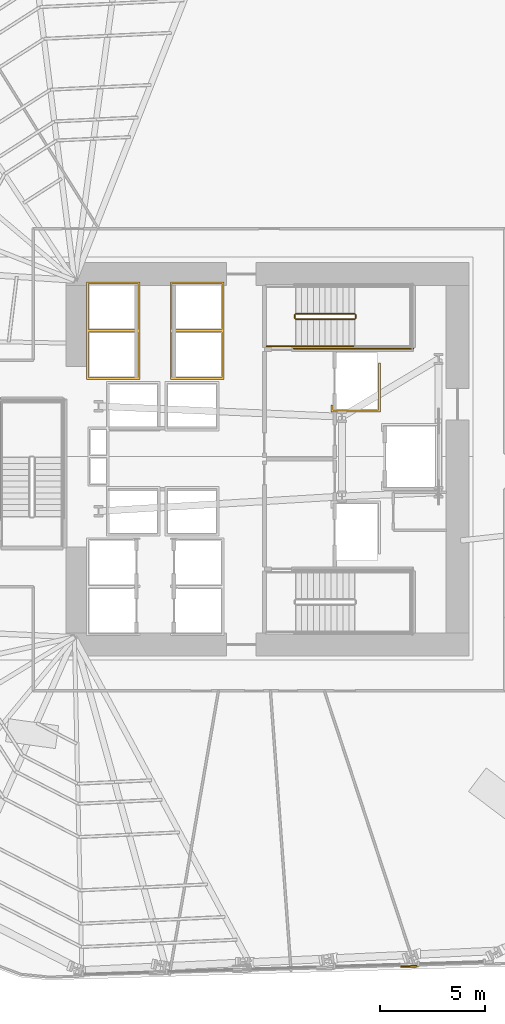
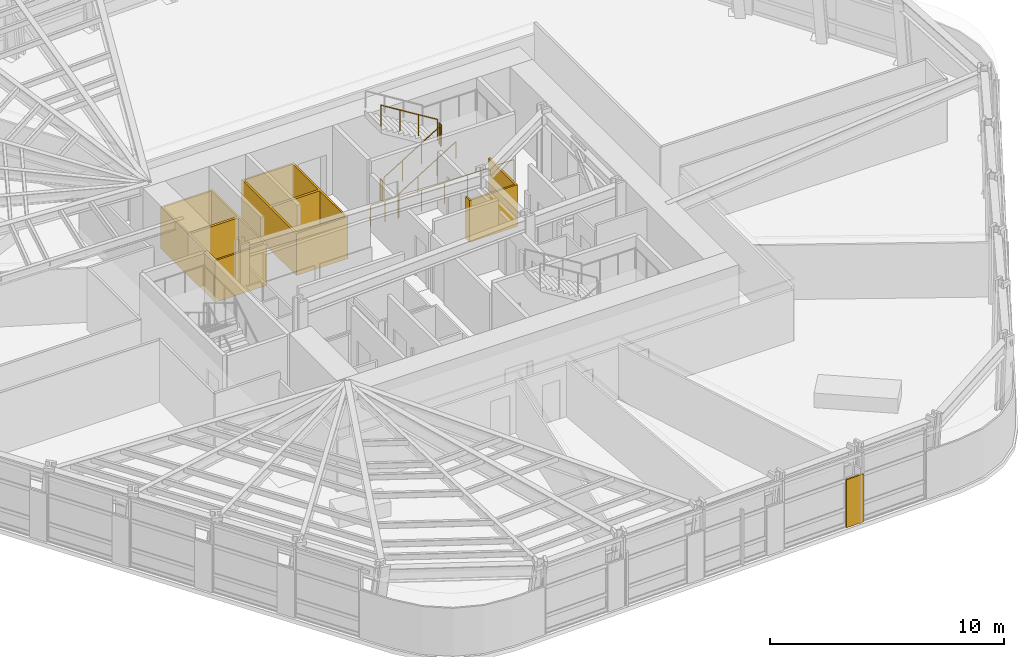
# One storey, part 12 of 15: 7 railings, 4 coverings.
"""IFC4 building model written with IfcOpenShell, lengths in metres."""

from ifc_helpers import new_model, si_unit, direction, frame, origin, origin_2d, place, context, subcontext, project, spatial, polyline, circle, outline, extrude, material, layer, layer_set, type_object, element, save


model = new_model("IFC4")

# Units and contexts
model_context = context("Model", 3, precision=1e-05, world=origin(), true_north=direction((0.0, 1.0)))
body_context = subcontext(model_context, "Body", "Model", "MODEL_VIEW")
ifc_project = project(units=[si_unit("LENGTHUNIT", "METRE"), si_unit("AREAUNIT", "SQUARE_METRE"), si_unit("VOLUMEUNIT", "CUBIC_METRE"), si_unit("PLANEANGLEUNIT", "RADIAN"), si_unit("MASSUNIT", "GRAM", prefix="KILO")], contexts=[model_context])

# Site, building, storey
site_placement = place(None, origin())
site = spatial("IfcSite", under=ifc_project, at=site_placement, CompositionType="ELEMENT")
building_placement = place(site_placement, origin())
building = spatial("IfcBuilding", under=site, at=building_placement, Name="Valkerne Bourse Tower", CompositionType="ELEMENT")
storey_placement = place(building_placement, frame((0.0, 0.0, 31.60009765625)))
storey = spatial("IfcBuildingStorey", under=building, at=storey_placement, Name="L07", CompositionType="ELEMENT", Elevation=31.60009765625)

# Coverings
ifc_material_1 = material(Name="Bronze Anodised Aluminium AA 6063-T6", Category="aluminium")
ifc_layer_1 = layer(ifc_material_1, 0.06005859375)
ifc_layer_set_1 = layer_set([ifc_layer_1], Name="Bronze Anodised Aluminium AA 6063-T6")
covering_type_1 = type_object("IfcCoveringType", Name="COV-CRN-ALUM", PredefinedType="CLADDING", material=ifc_layer_set_1)
covering_1_placement = place(storey_placement, origin())
element("IfcCovering", 1, at=covering_1_placement, inside=storey, type_object=covering_type_1, Name="L07 Wind-Shaped Corner Aluminium Cladding 02", PredefinedType="CLADDING", context=body_context, shape_type="SweptSolid", body=[
    extrude(outline(polyline([(53.1416015625, 2.661865234375), (53.13916015625, 2.74169921875), (53.978759765625, 2.7666015625), (53.981201171875, 2.686767578125), (53.1416015625, 2.661865234375)])), origin(), (0.0, 0.0, 1.0), 2.5),
])
ifc_material_2 = material(Name="Gypsum Shaftwall Liner Board", Category="gypsum")
ifc_layer_2 = layer(ifc_material_2, 0.080078125)
ifc_layer_set_2 = layer_set([ifc_layer_2], Name="Gypsum Shaftwall Liner Board")
covering_type_2 = type_object("IfcCoveringType", Name="COV-SHF-CLAD", PredefinedType="CLADDING", material=ifc_layer_set_2)
covering_2_placement = place(storey_placement, origin())
element("IfcCovering", 2, at=covering_2_placement, inside=storey, type_object=covering_type_2, Name="L07 Hoistway & Riser Shaftwall Liner 05", PredefinedType="CLADDING", context=body_context, shape_type="SweptSolid", body=[
    extrude(outline(polyline([(38.169921875, 35.330078125), (40.72998046875, 35.330078125), (40.72998046875, 33.030029296875), (40.72998046875, 32.969970703125), (40.72998046875, 30.669921875), (38.169921875, 30.669921875), (38.169921875, 32.969970703125), (38.169921875, 33.030029296875), (38.169921875, 35.330078125)]), holes=[polyline([(38.260009765625, 32.93994140625), (38.260009765625, 30.760009765625), (40.639892578125, 30.760009765625), (40.639892578125, 32.93994140625), (38.260009765625, 32.93994140625)]), polyline([(38.260009765625, 35.239990234375), (38.260009765625, 33.06005859375), (40.639892578125, 33.06005859375), (40.639892578125, 35.239990234375), (38.260009765625, 35.239990234375)])]), origin(), (0.0, 0.0, 1.0), 2.179931640625),
])
covering_3_placement = place(storey_placement, origin())
element("IfcCovering", 3, at=covering_3_placement, inside=storey, type_object=covering_type_2, Name="L07 Hoistway & Riser Shaftwall Liner 10", PredefinedType="CLADDING", context=body_context, shape_type="SweptSolid", body=[
    extrude(outline(polyline([(49.820068359375, 29.1201171875), (49.820068359375, 29.468017578125), (49.827880859375, 29.46435546875), (49.869384765625, 29.449462890625), (49.909912109375, 29.439208984375), (49.909912109375, 29.2099609375), (52.090087890625, 29.2099609375), (52.090087890625, 31.449951171875), (52.179931640625, 31.449951171875), (52.179931640625, 29.1201171875), (49.820068359375, 29.1201171875)])), origin(), (0.0, 0.0, 1.0), 2.179931640625),
])
covering_4_placement = place(storey_placement, origin())
element("IfcCovering", 4, at=covering_4_placement, inside=storey, type_object=covering_type_2, Name="L07 Hoistway & Riser Shaftwall Liner 11", PredefinedType="CLADDING", context=body_context, shape_type="SweptSolid", body=[
    extrude(outline(polyline([(44.72998046875, 35.330078125), (44.72998046875, 33.030029296875), (44.72998046875, 32.969970703125), (44.72998046875, 30.669921875), (42.169921875, 30.669921875), (42.169921875, 32.969970703125), (42.169921875, 33.030029296875), (42.169921875, 35.330078125), (44.72998046875, 35.330078125)]), holes=[polyline([(42.260009765625, 30.760009765625), (44.639892578125, 30.760009765625), (44.639892578125, 32.93994140625), (42.260009765625, 32.93994140625), (42.260009765625, 30.760009765625)]), polyline([(42.260009765625, 33.06005859375), (44.639892578125, 33.06005859375), (44.639892578125, 35.239990234375), (42.260009765625, 35.239990234375), (42.260009765625, 33.06005859375)])]), origin(), (0.0, 0.0, 1.0), 2.179931640625),
])

# Railings
ifc_material_3 = material(Name="Galvanised Painted Steel", Category="steel")
railing_type_1 = type_object("IfcRailingType", Name="RLG-ST-GUARD-1120", PredefinedType="GUARDRAIL", material=ifc_material_3)
railing_1_placement = place(storey_placement, frame((48.14990234375, 33.550048828125, 0.172607421875)))
element("IfcRailing", 5, at=railing_1_placement, inside=storey, type_object=railing_type_1, Name="L07 ST-2 stair guard 1", PredefinedType="GUARDRAIL", context=body_context, shape_type="SweptSolid", body=[
    extrude(circle(Radius=0.02392578125, at=origin_2d()), frame((0.0, 0.0, 1.09619140625), z_axis=(0.851089632645, 0.0, 0.525020415988), x_axis=(0.0, 1.0, 0.0)), (0.0, 0.0, 1.0), 3.2900390625),
    extrude(circle(Radius=0.02099609375, at=origin_2d()), origin(), (0.0, 0.0, 1.0), 1.072021484375),
    extrude(circle(Radius=0.02099609375, at=origin_2d()), frame((0.933349609375, 0.0, 0.57568359375)), (0.0, 0.0, 1.0), 1.072021484375),
    extrude(circle(Radius=0.02099609375, at=origin_2d()), frame((1.86669921875, 0.0, 1.151611328125)), (0.0, 0.0, 1.0), 1.072021484375),
    extrude(circle(Radius=0.02099609375, at=origin_2d()), frame((2.800048828125, 0.0, 1.727294921875)), (0.0, 0.0, 1.0), 1.072021484375),
])
railing_2_placement = place(storey_placement, frame((51.0, 33.60009765625, 1.89990234375)))
element("IfcRailing", 6, at=railing_2_placement, inside=storey, type_object=railing_type_1, Name="L07 ST-2 stair guard 2", PredefinedType="GUARDRAIL", context=body_context, shape_type="SweptSolid", body=[
    extrude(circle(Radius=0.02392578125, at=origin_2d()), frame((0.0, 0.0, 1.09619140625), z_axis=(0.0, 1.0, 0.0), x_axis=(-1.0, 0.0, 0.0)), (0.0, 0.0, 1.0), 0.14990234375),
    extrude(circle(Radius=0.02099609375, at=origin_2d()), origin(), (0.0, 0.0, 1.0), 1.072021484375),
    extrude(circle(Radius=0.02099609375, at=origin_2d()), frame((0.0, 0.14990234375, 0.0)), (0.0, 0.0, 1.0), 1.072021484375),
])
railing_3_placement = place(storey_placement, frame((50.949951171875, 33.800048828125, 2.072509765625)))
element("IfcRailing", 7, at=railing_3_placement, inside=storey, type_object=railing_type_1, Name="L07 ST-2 stair guard 6", PredefinedType="GUARDRAIL", context=body_context, shape_type="SweptSolid", body=[
    extrude(circle(Radius=0.02392578125, at=origin_2d()), frame((0.0, 0.0, 1.09619140625), z_axis=(-0.851089632645, 0.0, 0.525020415988), x_axis=(0.0, -1.0, 0.0)), (0.0, 0.0, 1.0), 3.2900390625),
    extrude(circle(Radius=0.02099609375, at=origin_2d()), origin(), (0.0, 0.0, 1.0), 1.072021484375),
    extrude(circle(Radius=0.02099609375, at=origin_2d()), frame((-0.933349609375, 0.0, 0.57568359375)), (0.0, 0.0, 1.0), 1.072021484375),
    extrude(circle(Radius=0.02099609375, at=origin_2d()), frame((-1.86669921875, 0.0, 1.151611328125)), (0.0, 0.0, 1.0), 1.072021484375),
    extrude(circle(Radius=0.02099609375, at=origin_2d()), frame((-2.800048828125, 0.0, 1.727294921875)), (0.0, 0.0, 1.0), 1.072021484375),
])
railing_4_placement = place(storey_placement, frame((48.10009765625, 33.60009765625, 0.0)))
element("IfcRailing", 8, at=railing_4_placement, inside=storey, type_object=railing_type_1, Name="L07 ST-2 stair guard 7", PredefinedType="GUARDRAIL", context=body_context, shape_type="SweptSolid", body=[
    extrude(circle(Radius=0.02392578125, at=origin_2d()), frame((0.0, 0.0, 1.09619140625), z_axis=(0.0, 1.0, 0.0), x_axis=(-1.0, 0.0, 0.0)), (0.0, 0.0, 1.0), 0.14990234375),
    extrude(circle(Radius=0.02099609375, at=origin_2d()), origin(), (0.0, 0.0, 1.0), 1.072021484375),
    extrude(circle(Radius=0.02099609375, at=origin_2d()), frame((0.0, 0.14990234375, 0.0)), (0.0, 0.0, 1.0), 1.072021484375),
])
railing_5_placement = place(storey_placement, frame((46.75, 32.25, 0.0)))
element("IfcRailing", 9, at=railing_5_placement, inside=storey, type_object=railing_type_1, Name="L07 ST-2 stair guard 8", PredefinedType="GUARDRAIL", context=body_context, shape_type="SweptSolid", body=[
    extrude(circle(Radius=0.02392578125, at=origin_2d()), frame((0.0, 0.0, 1.09619140625), z_axis=(1.0, 0.0, 0.0), x_axis=(0.0, 1.0, 0.0)), (0.0, 0.0, 1.0), 1.39990234375),
    extrude(circle(Radius=0.02099609375, at=origin_2d()), origin(), (0.0, 0.0, 1.0), 1.072021484375),
    extrude(circle(Radius=0.02099609375, at=origin_2d()), frame((0.699951171875, 0.0, 0.0)), (0.0, 0.0, 1.0), 1.072021484375),
    extrude(circle(Radius=0.02099609375, at=origin_2d()), frame((1.39990234375, 0.0, 0.0)), (0.0, 0.0, 1.0), 1.072021484375),
])
railing_6_placement = place(storey_placement, frame((48.050048828125, 32.14990234375, 0.0)))
element("IfcRailing", 10, at=railing_6_placement, inside=storey, type_object=railing_type_1, Name="L07 ST-2 stair guard 10", PredefinedType="GUARDRAIL", context=body_context, shape_type="SweptSolid", body=[
    extrude(circle(Radius=0.02392578125, at=origin_2d()), frame((0.0, 0.0, 1.09619140625), z_axis=(1.0, 0.0, 0.0), x_axis=(0.0, 1.0, 0.0)), (0.0, 0.0, 1.0), 5.699951171875),
    extrude(circle(Radius=0.02099609375, at=origin_2d()), origin(), (0.0, 0.0, 1.0), 1.072021484375),
    extrude(circle(Radius=0.02099609375, at=origin_2d()), frame((1.139892578125, 0.0, 0.0)), (0.0, 0.0, 1.0), 1.072021484375),
    extrude(circle(Radius=0.02099609375, at=origin_2d()), frame((2.280029296875, 0.0, 0.0)), (0.0, 0.0, 1.0), 1.072021484375),
    extrude(circle(Radius=0.02099609375, at=origin_2d()), frame((3.419921875, 0.0, 0.0)), (0.0, 0.0, 1.0), 1.072021484375),
    extrude(circle(Radius=0.02099609375, at=origin_2d()), frame((4.56005859375, 0.0, 0.0)), (0.0, 0.0, 1.0), 1.072021484375),
    extrude(circle(Radius=0.02099609375, at=origin_2d()), frame((5.699951171875, 0.0, 0.0)), (0.0, 0.0, 1.0), 1.072021484375),
])
ifc_material_4 = material(Name="Stainless Steel AISI 316", Category="steel")
railing_type_2 = type_object("IfcRailingType", Name="RLG-ST-HANDRAIL-900", PredefinedType="HANDRAIL", material=ifc_material_4)
railing_7_placement = place(storey_placement, frame((48.14990234375, 32.25, 0.345458984375)))
element("IfcRailing", 11, at=railing_7_placement, inside=storey, type_object=railing_type_2, Name="L07 ST-2 stair handrail 1", PredefinedType="HANDRAIL", context=body_context, shape_type="SweptSolid", body=[
    extrude(circle(Radius=0.02392578125, at=origin_2d()), frame((0.0, 0.0, 0.8759765625), z_axis=(0.851122791225, 0.0, 0.524966660138), x_axis=(0.0, 1.0, 0.0)), (0.0, 0.0, 1.0), 3.289794921875),
    extrude(circle(Radius=0.02099609375, at=origin_2d()), origin(), (0.0, 0.0, 1.0), 0.851806640625),
    extrude(circle(Radius=0.02099609375, at=origin_2d()), frame((0.933349609375, 0.0, 0.57568359375)), (0.0, 0.0, 1.0), 0.851806640625),
    extrude(circle(Radius=0.02099609375, at=origin_2d()), frame((1.86669921875, 0.0, 1.1513671875)), (0.0, 0.0, 1.0), 0.851806640625),
    extrude(circle(Radius=0.02099609375, at=origin_2d()), frame((2.800048828125, 0.0, 1.72705078125)), (0.0, 0.0, 1.0), 0.851806640625),
])

save(model, "model.ifc")
